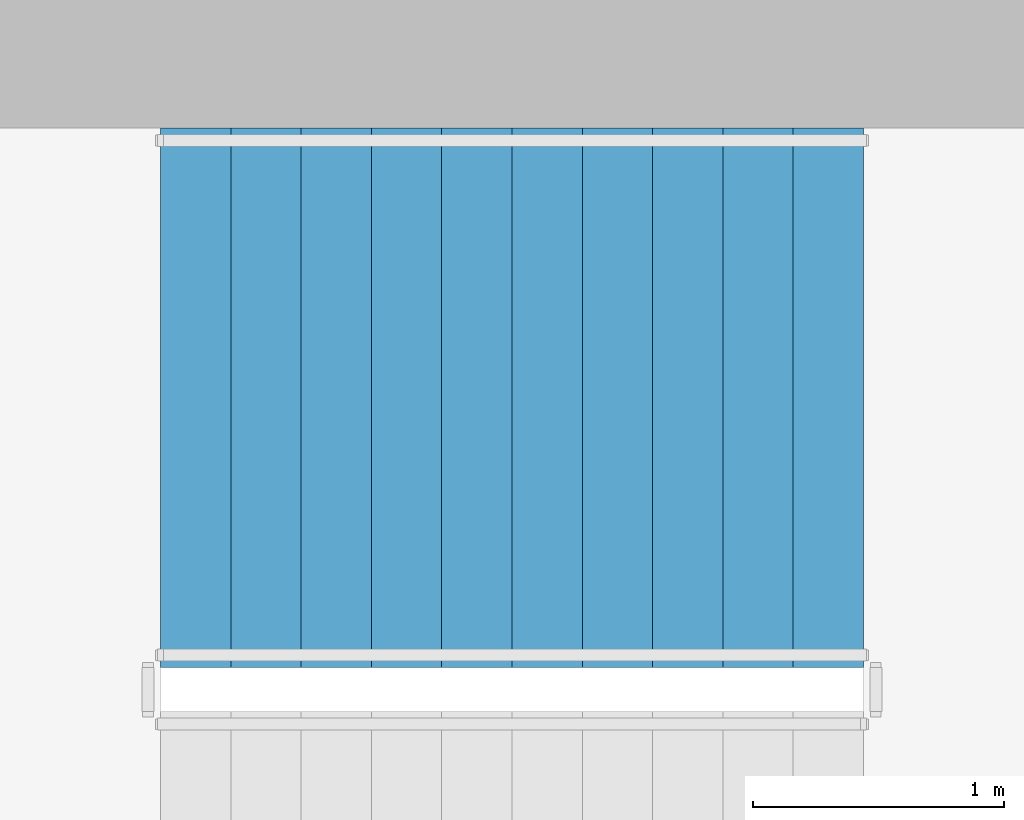
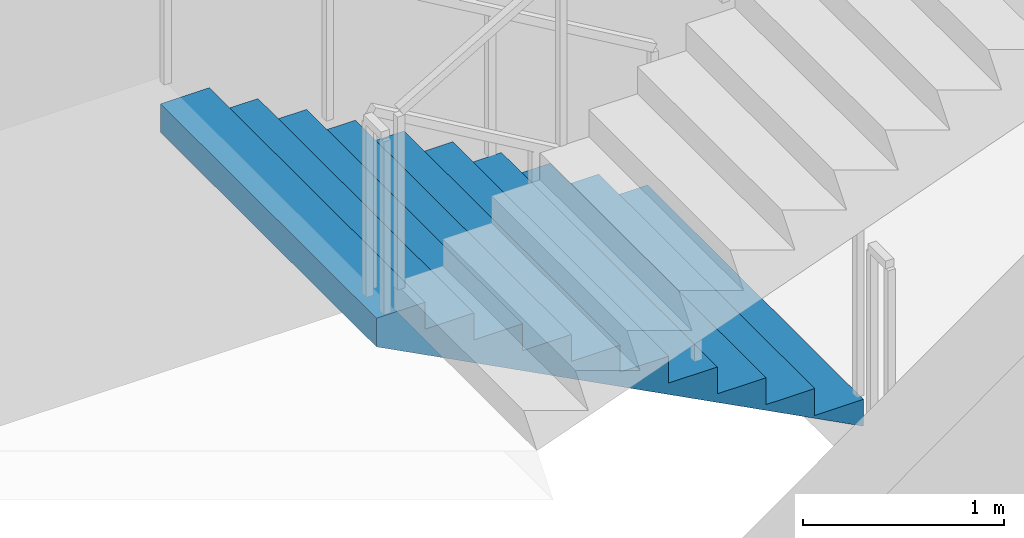
# One storey, part 12 of 20: 1 stair flight, 1 element without a shape of its own.
"""IFC4 building model written with IfcOpenShell, lengths in metres."""

from ifc_helpers import new_model, si_unit, direction, frame, origin, place, context, subcontext, project, spatial, triangles, material, type_object, element, aggregate, save


model = new_model("IFC4")

# Units and contexts
model_context = context("Model", 3, precision=1e-05, world=origin(), true_north=direction((0.0, 1.0)))
body_context = subcontext(model_context, "Body", "Model", "MODEL_VIEW")
ifc_project = project(units=[si_unit("LENGTHUNIT", "METRE"), si_unit("AREAUNIT", "SQUARE_METRE"), si_unit("VOLUMEUNIT", "CUBIC_METRE"), si_unit("PLANEANGLEUNIT", "RADIAN"), si_unit("MASSUNIT", "GRAM", prefix="KILO")], contexts=[model_context])

# Site, building, storey
site_placement = place(None, origin())
site = spatial("IfcSite", under=ifc_project, at=site_placement, CompositionType="ELEMENT")
building_placement = place(site_placement, origin())
building = spatial("IfcBuilding", under=site, at=building_placement, Name="Cypress Arch Tower", CompositionType="ELEMENT")
storey_placement = place(building_placement, frame((0.0, 0.0, 131.10009765625)))
storey = spatial("IfcBuildingStorey", under=building, at=storey_placement, Name="L28", CompositionType="ELEMENT", Elevation=131.10009765625)

# Stair, stair flight
ifc_material_1 = material(Name="Concrete C40/50", Category="concrete")
stair_type = type_object("IfcStairType", Name="Exit stair ES1636-215", PredefinedType="HALF_TURN_STAIR", material=ifc_material_1)
stair_placement = place(storey_placement, origin())
stair = element("IfcStair", 1, at=stair_placement, inside=storey, type_object=stair_type, Name="L28 Exit stair B", PredefinedType="HALF_TURN_STAIR")
ifc_material_2 = material(Name="Concrete C40/50", Category="concrete")
stair_flight_type = type_object("IfcStairFlightType", Name="Exit stair flight ES1636-215", PredefinedType="STRAIGHT", material=ifc_material_2)
stair_flight_placement = place(storey_placement, frame((-22.27490234375, 13.72509765625, 0.0), z_axis=(0.0, 0.0, 1.0), x_axis=(-1.0, 0.0, 0.0)))
stair_flight = element("IfcStairFlight", 2, at=stair_flight_placement, type_object=stair_flight_type, Name="B flight 1", NumberOfRisers=11, NumberOfTreads=10, PredefinedType="STRAIGHT", RiserHeight=0.163636364, TreadLength=0.28, context=body_context, shape_type="Tessellation", body=[
    triangles([(0.0, -1.074951171875, 0.0), (0.000244140625, -1.074951171875, 0.03271484375), (0.00048828125, -1.074951171875, 0.0654296875), (0.00048828125, -1.074951171875, 0.09814453125), (0.000244140625, -1.074951171875, 0.130859375), (0.0, -1.074951171875, 0.16357421875), (0.280029296875, -1.074951171875, 0.16357421875), (0.280029296875, -1.074951171875, 0.327392578125), (0.56005859375, -1.074951171875, 0.327392578125), (0.56005859375, -1.074951171875, 0.490966796875), (0.840087890625, -1.074951171875, 0.490966796875), (0.840087890625, -1.074951171875, 0.654541015625), (1.1201171875, -1.074951171875, 0.654541015625), (1.1201171875, -1.074951171875, 0.818115234375), (1.39990234375, -1.074951171875, 0.818115234375), (1.39990234375, -1.074951171875, 0.98193359375), (1.679931640625, -1.074951171875, 0.98193359375), (1.679931640625, -1.074951171875, 1.1455078125), (1.9599609375, -1.074951171875, 1.1455078125), (1.9599609375, -1.074951171875, 1.30908203125), (2.239990234375, -1.074951171875, 1.30908203125), (2.239990234375, -1.074951171875, 1.47265625), (2.52001953125, -1.074951171875, 1.47265625), (2.52001953125, -1.074951171875, 1.636474609375), (2.800048828125, -1.074951171875, 1.636474609375), (2.7998046875, -1.074951171875, 1.601806640625), (2.799560546875, -1.074951171875, 1.56689453125), (2.799560546875, -1.074951171875, 1.5322265625), (2.7998046875, -1.074951171875, 1.497314453125), (2.800048828125, -1.074951171875, 1.462646484375), (2.800048828125, 1.074951171875, 1.462646484375), (2.7998046875, 1.074951171875, 1.497314453125), (2.799560546875, 1.074951171875, 1.5322265625), (2.799560546875, 1.074951171875, 1.56689453125), (2.7998046875, 1.074951171875, 1.601806640625), (2.800048828125, 1.074951171875, 1.636474609375), (2.52001953125, 1.074951171875, 1.636474609375), (2.52001953125, 1.074951171875, 1.47265625), (2.239990234375, 1.074951171875, 1.47265625), (2.239990234375, 1.074951171875, 1.30908203125), (1.9599609375, 1.074951171875, 1.30908203125), (1.9599609375, 1.074951171875, 1.1455078125), (1.679931640625, 1.074951171875, 1.1455078125), (1.679931640625, 1.074951171875, 0.98193359375), (1.39990234375, 1.074951171875, 0.98193359375), (1.39990234375, 1.074951171875, 0.818115234375), (1.1201171875, 1.074951171875, 0.818115234375), (1.1201171875, 1.074951171875, 0.654541015625), (0.840087890625, 1.074951171875, 0.654541015625), (0.840087890625, 1.074951171875, 0.490966796875), (0.56005859375, 1.074951171875, 0.490966796875), (0.56005859375, 1.074951171875, 0.327392578125), (0.280029296875, 1.074951171875, 0.327392578125), (0.280029296875, 1.074951171875, 0.16357421875), (0.0, 1.074951171875, 0.16357421875), (0.000244140625, 1.074951171875, 0.130859375), (0.00048828125, 1.074951171875, 0.09814453125), (0.00048828125, 1.074951171875, 0.0654296875), (0.000244140625, 1.074951171875, 0.03271484375), (0.0, 1.074951171875, 0.0), (2.7998046875, 0.0, 1.497314453125), (2.800048828125, 0.0, 1.462646484375), (2.799560546875, 0.0, 1.5322265625), (2.799560546875, 0.0, 1.56689453125), (2.7998046875, 0.0, 1.601806640625), (2.800048828125, 0.0, 1.636474609375), (2.52001953125, 0.0, 1.636474609375), (2.52001953125, 0.0, 1.47265625), (2.239990234375, 0.0, 1.47265625), (2.239990234375, 0.0, 1.30908203125), (1.9599609375, 0.0, 1.30908203125), (1.9599609375, 0.0, 1.1455078125), (1.679931640625, 0.0, 1.1455078125), (1.679931640625, 0.0, 0.98193359375), (1.39990234375, 0.0, 0.98193359375), (1.39990234375, 0.0, 0.818115234375), (1.1201171875, 0.0, 0.818115234375), (1.1201171875, 0.0, 0.654541015625), (0.840087890625, 0.0, 0.654541015625), (0.840087890625, 0.0, 0.490966796875), (0.56005859375, 0.0, 0.490966796875), (0.56005859375, 0.0, 0.327392578125), (0.280029296875, 0.0, 0.327392578125), (0.280029296875, 0.0, 0.16357421875), (0.0, 0.0, 0.16357421875), (0.000244140625, 0.0, 0.130859375), (0.00048828125, 0.0, 0.09814453125), (0.00048828125, 0.0, 0.0654296875), (0.000244140625, 0.0, 0.03271484375), (0.0, 0.0, 0.0)], [[30, 29, 24], [29, 28, 24], [28, 27, 24], [27, 26, 24], [26, 25, 24], [17, 16, 15], [9, 8, 7], [15, 14, 13], [23, 22, 21], [21, 20, 19], [19, 18, 17], [13, 12, 11], [11, 10, 9], [6, 5, 7], [5, 4, 7], [4, 3, 7], [3, 2, 7], [2, 1, 7], [30, 24, 23], [30, 23, 21], [30, 21, 19], [30, 19, 17], [30, 17, 15], [30, 15, 13], [30, 13, 11], [30, 11, 9], [30, 9, 7], [30, 7, 1], [31, 37, 32], [32, 37, 33], [33, 37, 34], [34, 37, 35], [35, 37, 36], [44, 46, 45], [52, 54, 53], [46, 48, 47], [38, 40, 39], [40, 42, 41], [42, 44, 43], [48, 50, 49], [50, 52, 51], [55, 54, 56], [56, 54, 57], [57, 54, 58], [58, 54, 59], [59, 54, 60], [31, 38, 37], [31, 40, 38], [31, 42, 40], [31, 44, 42], [31, 46, 44], [31, 48, 46], [31, 50, 48], [31, 52, 50], [31, 54, 52], [31, 60, 54], [62, 61, 29], [62, 29, 30], [31, 32, 61], [31, 61, 62], [61, 63, 28], [61, 28, 29], [32, 33, 63], [32, 63, 61], [63, 64, 27], [63, 27, 28], [33, 34, 64], [33, 64, 63], [64, 65, 26], [64, 26, 27], [34, 35, 65], [34, 65, 64], [65, 66, 25], [65, 25, 26], [35, 36, 66], [35, 66, 65], [66, 67, 24], [66, 24, 25], [36, 37, 67], [36, 67, 66], [67, 68, 23], [67, 23, 24], [37, 38, 68], [37, 68, 67], [68, 69, 22], [68, 22, 23], [38, 39, 69], [38, 69, 68], [69, 70, 21], [69, 21, 22], [39, 40, 70], [39, 70, 69], [70, 71, 20], [70, 20, 21], [40, 41, 71], [40, 71, 70], [71, 72, 19], [71, 19, 20], [41, 42, 72], [41, 72, 71], [72, 73, 18], [72, 18, 19], [42, 43, 73], [42, 73, 72], [73, 74, 17], [73, 17, 18], [43, 44, 74], [43, 74, 73], [74, 75, 16], [74, 16, 17], [44, 45, 75], [44, 75, 74], [75, 76, 15], [75, 15, 16], [45, 46, 76], [45, 76, 75], [76, 77, 14], [76, 14, 15], [46, 47, 77], [46, 77, 76], [77, 78, 13], [77, 13, 14], [47, 48, 78], [47, 78, 77], [78, 79, 12], [78, 12, 13], [48, 49, 79], [48, 79, 78], [79, 80, 11], [79, 11, 12], [49, 50, 80], [49, 80, 79], [80, 81, 10], [80, 10, 11], [50, 51, 81], [50, 81, 80], [81, 82, 9], [81, 9, 10], [51, 52, 82], [51, 82, 81], [82, 83, 8], [82, 8, 9], [52, 53, 83], [52, 83, 82], [83, 84, 7], [83, 7, 8], [53, 54, 84], [53, 84, 83], [84, 85, 6], [84, 6, 7], [54, 55, 85], [54, 85, 84], [85, 86, 5], [85, 5, 6], [55, 56, 86], [55, 86, 85], [86, 87, 4], [86, 4, 5], [56, 57, 87], [56, 87, 86], [87, 88, 3], [87, 3, 4], [57, 58, 88], [57, 88, 87], [88, 89, 2], [88, 2, 3], [58, 59, 89], [58, 89, 88], [89, 90, 1], [89, 1, 2], [59, 60, 90], [59, 90, 89], [90, 62, 30], [90, 30, 1], [60, 31, 62], [60, 62, 90]], closed=True),
])
aggregate(stair, [stair_flight])

save(model, "model.ifc")
